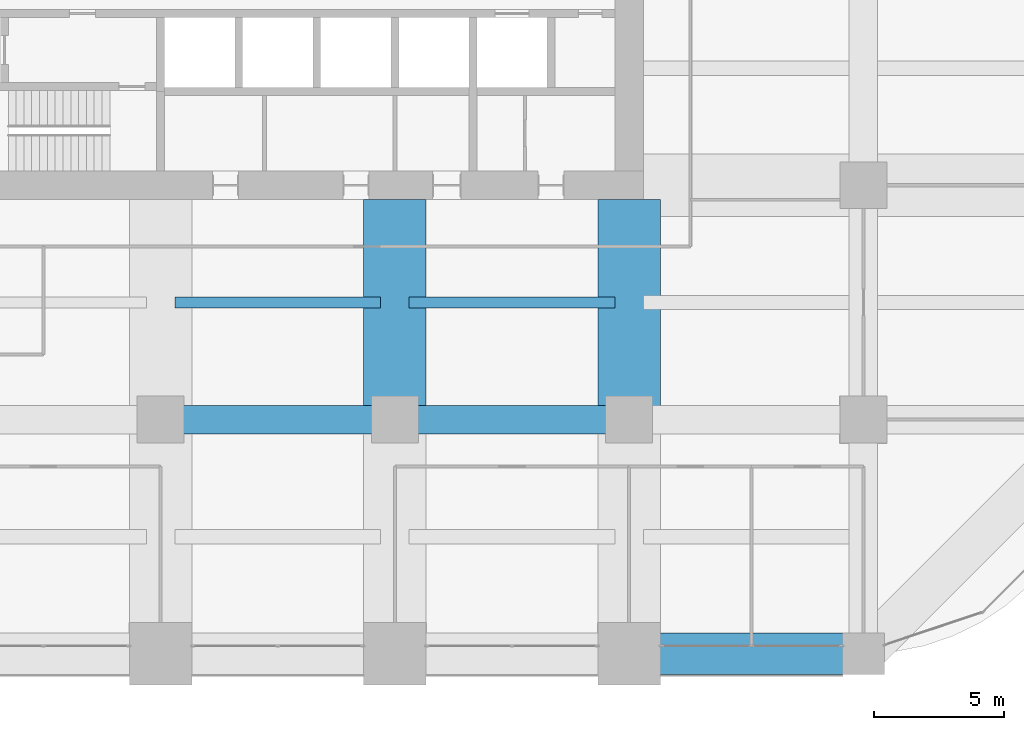
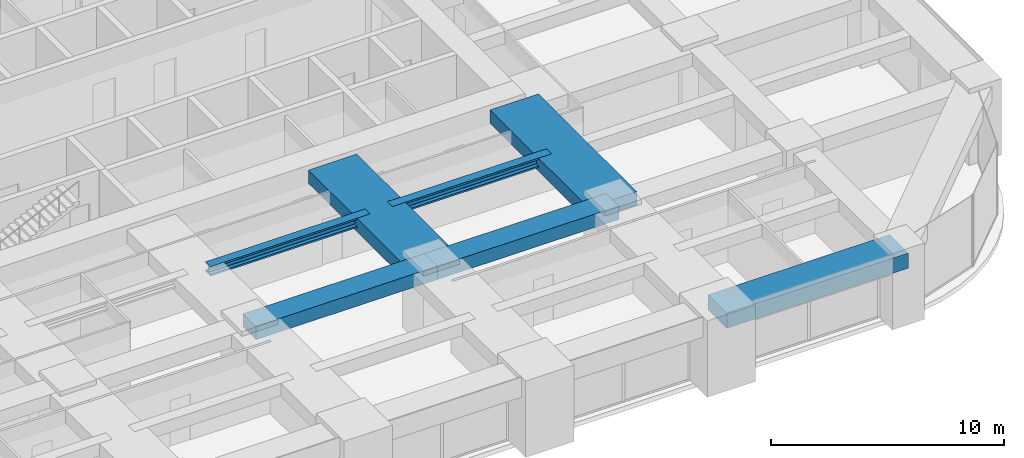
# One storey, part 15 of 43: 7 beams.
"""IFC4 building model written with IfcOpenShell, lengths in metres."""

from ifc_helpers import new_model, si_unit, direction, frame, origin, origin_2d, place, context, subcontext, project, spatial, rectangle, i_section, extrude, material, material_profile, profile_set, type_object, element, save


model = new_model("IFC4")

# Units and contexts
model_context = context("Model", 3, precision=1e-05, world=origin(), true_north=direction((0.0, 1.0)))
body_context = subcontext(model_context, "Body", "Model", "MODEL_VIEW")
ifc_project = project(units=[si_unit("LENGTHUNIT", "METRE"), si_unit("AREAUNIT", "SQUARE_METRE"), si_unit("VOLUMEUNIT", "CUBIC_METRE"), si_unit("PLANEANGLEUNIT", "RADIAN"), si_unit("MASSUNIT", "GRAM", prefix="KILO")], contexts=[model_context])

# Site, building, storey
site_placement = place(None, origin())
site = spatial("IfcSite", under=ifc_project, at=site_placement, CompositionType="ELEMENT")
building_placement = place(site_placement, origin())
building = spatial("IfcBuilding", under=site, at=building_placement, Name="Zorevar Civic Tower", CompositionType="ELEMENT")
storey_placement = place(building_placement, frame((0.0, 0.0, 145.0)))
storey = spatial("IfcBuildingStorey", under=building, at=storey_placement, Name="L35", CompositionType="ELEMENT", Elevation=145.0)

# Beams
ifc_material_1 = material(Name="Concrete C50/60", Category="concrete")
ifc_material_profile_1 = material_profile(ifc_material_1, rectangle(XDim=1.10009765625, YDim=0.699951171875, at=origin_2d()), Name="RC 1100x700")
ifc_profile_set_1 = profile_set([ifc_material_profile_1], Name="Concrete C50/60")
beam_type_1 = type_object("IfcBeamType", Name="Beam RC 1100x700", PredefinedType="BEAM", material=ifc_profile_set_1)
for number, where, z_axis, x_axis, name in (
    (1, (27.0, 9.0, 3.39990234375), (1.0, 0.0, 0.0), (0.0, 1.0, 0.0), "Girder L36"),
    (2, (36.0, 9.0, 3.39990234375), (1.0, 0.0, 0.0), (0.0, 1.0, 0.0), "Girder L36"),
):
    element("IfcBeam", number, at=place(storey_placement, frame(where, z_axis=z_axis, x_axis=x_axis)), inside=storey, type_object=beam_type_1, Name=name, PredefinedType="BEAM", context=body_context, shape_type="SweptSolid", body=[
        extrude(rectangle(XDim=1.10009765625, YDim=0.699951171875, at=origin_2d()), origin(), (0.0, 0.0, 1.0), 9.0),
    ])
ifc_material_2 = material(Name="Concrete C50/60", Category="concrete")
ifc_material_profile_2 = material_profile(ifc_material_2, rectangle(XDim=2.39990234375, YDim=0.699951171875, at=origin_2d()), Name="RC 2400x700")
ifc_profile_set_2 = profile_set([ifc_material_profile_2], Name="Concrete C50/60")
beam_type_2 = type_object("IfcBeamType", Name="Beam RC 2400x700", PredefinedType="BEAM", material=ifc_profile_set_2)
for number, where, z_axis, x_axis, name in (
    (3, (36.0, 9.0, 3.39990234375), (0.0, 1.0, 0.0), (-1.0, 0.0, 0.0), "Girder L36"),
    (4, (45.0, 9.0, 3.39990234375), (0.0, 1.0, 0.0), (-1.0, 0.0, 0.0), "Girder L36"),
):
    element("IfcBeam", number, at=place(storey_placement, frame(where, z_axis=z_axis, x_axis=x_axis)), inside=storey, type_object=beam_type_2, Name=name, PredefinedType="BEAM", context=body_context, shape_type="SweptSolid", body=[
        extrude(rectangle(XDim=2.39990234375, YDim=0.699951171875, at=origin_2d()), origin(), (0.0, 0.0, 1.0), 8.449951171875),
    ])
ifc_material_3 = material(Name="Steel S460M (HISTAR 460)", Category="steel")
ifc_material_profile_3 = material_profile(ifc_material_3, i_section(OverallWidth=0.431884765625, OverallDepth=0.498046875, WebThickness=0.0556640625, FlangeThickness=0.0888671875, FilletRadius=0.014892578125, at=origin_2d()), Name="HD 400x744")
ifc_profile_set_3 = profile_set([ifc_material_profile_3], Name="Steel S460M (HISTAR 460)")
beam_type_3 = type_object("IfcBeamType", Name="Core bay beam HD 400x744", PredefinedType="BEAM", material=ifc_profile_set_3)
for number, where, z_axis, x_axis, name in (
    (5, (27.550048828125, 13.5, 3.5009765625), (1.0, 0.0, 0.0), (0.0, 1.0, 0.0), "Secondary beam L36"),
    (6, (36.550048828125, 13.5, 3.5009765625), (1.0, 0.0, 0.0), (0.0, 1.0, 0.0), "Secondary beam L36"),
):
    element("IfcBeam", number, at=place(storey_placement, frame(where, z_axis=z_axis, x_axis=x_axis)), inside=storey, type_object=beam_type_3, Name=name, PredefinedType="BEAM", context=body_context, shape_type="SweptSolid", body=[
        extrude(i_section(OverallWidth=0.431884765625, OverallDepth=0.498046875, WebThickness=0.0556640625, FlangeThickness=0.0888671875, FilletRadius=0.014892578125, at=origin_2d()), origin(), (0.0, 0.0, 1.0), 7.89990234375),
    ])
ifc_material_4 = material(Name="Concrete C50/60", Category="concrete")
ifc_material_profile_4 = material_profile(ifc_material_4, rectangle(XDim=1.60009765625, YDim=0.800048828125, at=origin_2d()), Name="RC 1600x800")
ifc_profile_set_4 = profile_set([ifc_material_profile_4], Name="Concrete C50/60")
beam_type_4 = type_object("IfcBeamType", Name="Edge beam RC 1600x800", PredefinedType="SPANDREL", material=ifc_profile_set_4)
beam_placement = place(storey_placement, frame((45.0, 0.0, 3.35009765625), z_axis=(1.0, 0.0, 0.0), x_axis=(0.0, 1.0, 0.0)))
element("IfcBeam", 7, at=beam_placement, inside=storey, type_object=beam_type_4, Name="Edge beam L36", PredefinedType="SPANDREL", context=body_context, shape_type="SweptSolid", body=[
    extrude(rectangle(XDim=1.60009765625, YDim=0.800048828125, at=origin_2d()), origin(), (0.0, 0.0, 1.0), 9.0),
])

save(model, "model.ifc")
